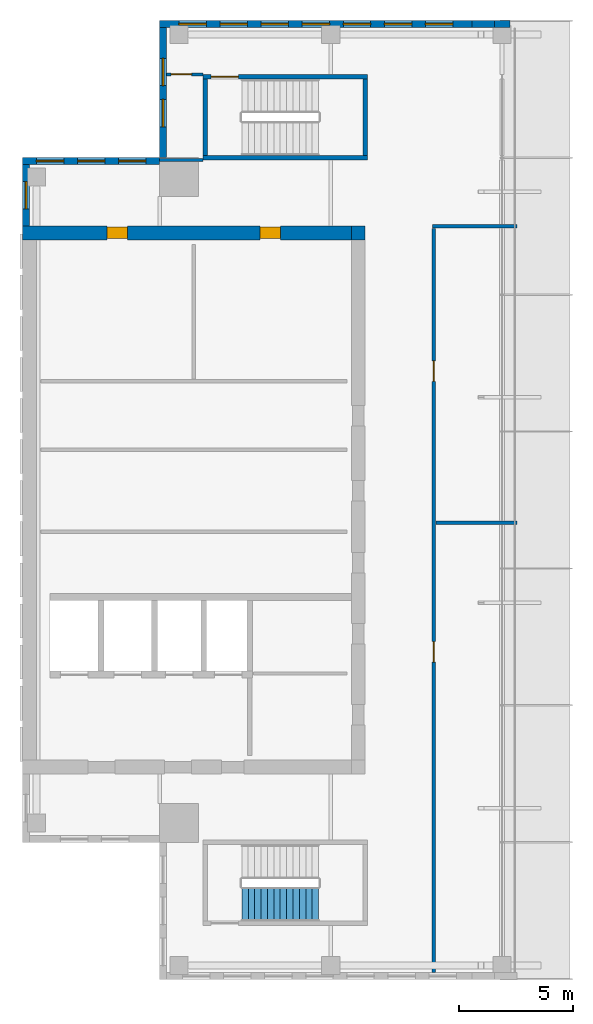
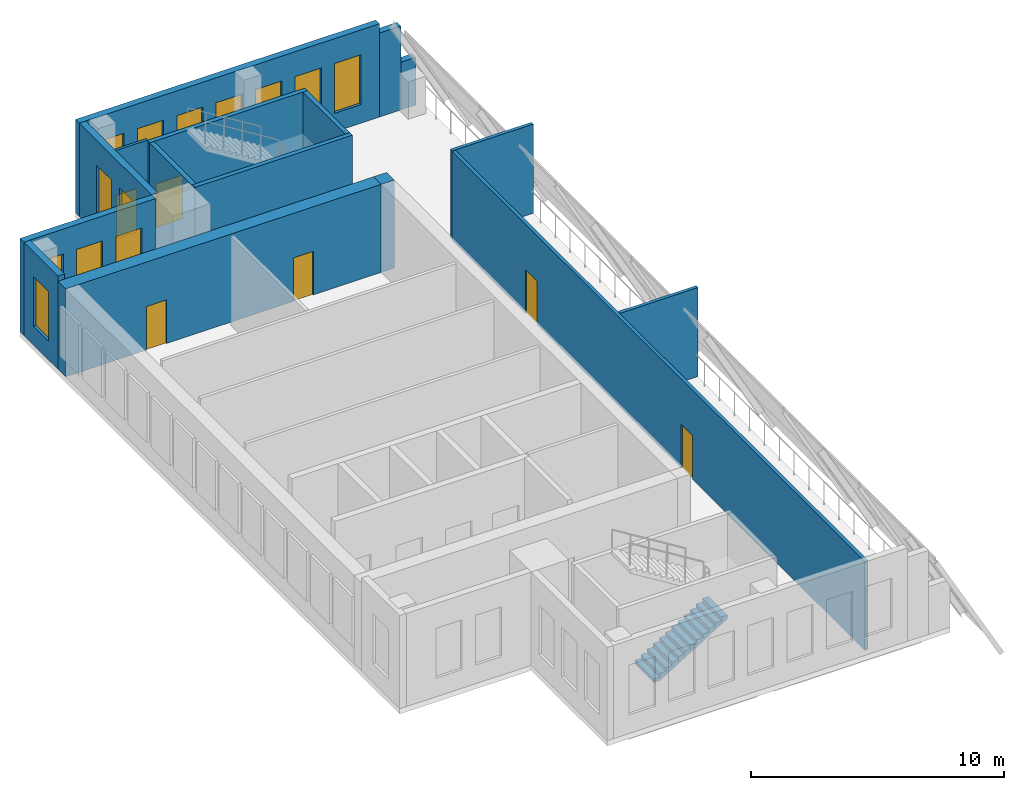
# One storey, part 3 of 5: 17 walls, 13 windows, 6 doors, 1 stair flight, 19 openings, 1 element without a shape of its own.
"""IFC4 building model written with IfcOpenShell, lengths in metres."""

from ifc_helpers import new_model, si_unit, direction, frame, frame_2d, origin, place, context, subcontext, project, spatial, polyline, rectangle, outline, extrude, source, transform, mapped, material, layer, layer_set, type_object, element, fill, aggregate, save


model = new_model("IFC4")

# Units and contexts
model_context = context("Model", 3, precision=1e-05, world=origin(), true_north=direction((0.0, 1.0)))
body_context = subcontext(model_context, "Body", "Model", "MODEL_VIEW")
ifc_project = project(units=[si_unit("LENGTHUNIT", "METRE"), si_unit("AREAUNIT", "SQUARE_METRE"), si_unit("VOLUMEUNIT", "CUBIC_METRE"), si_unit("PLANEANGLEUNIT", "RADIAN"), si_unit("MASSUNIT", "GRAM", prefix="KILO")], contexts=[model_context])

# Site, building, storey
site_placement = place(None, origin())
site = spatial("IfcSite", under=ifc_project, at=site_placement, CompositionType="ELEMENT")
building_placement = place(site_placement, origin())
building = spatial("IfcBuilding", under=site, at=building_placement, Name="Khomas Fold Tower", CompositionType="ELEMENT")
storey_placement = place(building_placement, frame((0.0, 0.0, 348.199951171875)))
storey = spatial("IfcBuildingStorey", under=building, at=storey_placement, Name="C5", CompositionType="ELEMENT", Elevation=348.199951171875)

# Wall, openings, doors
ifc_material_1 = material(Name="Concrete C50/60", Category="concrete")
ifc_layer_1 = layer(ifc_material_1, 0.60009765625)
ifc_layer_set_1 = layer_set([ifc_layer_1], Name="Concrete C50/60")
wall_type_1 = type_object("IfcWallType", Name="Core wall 600", PredefinedType="SHEAR", material=ifc_layer_set_1)
shared_shape_1 = source(origin(), body_context, "Body", "SweptSolid", [
    extrude(rectangle(XDim=14.39990234375, YDim=0.60009765625, at=frame_2d((7.199951171875, 0.0))), origin(), (0.0, 0.0, 1.0), 4.25),
])
wall_1_placement = place(storey_placement, frame((6.0, 38.699951171875, 0.0), z_axis=(0.0, 0.0, 1.0), x_axis=(1.0, 0.0, 0.0)))
wall_1 = element("IfcWall", 1, at=wall_1_placement, inside=storey, type_object=wall_type_1, Name="Core wall CW-U-N-L63", PredefinedType="SHEAR", context=body_context, shape_type="MappedRepresentation", body=[
    mapped(shared_shape_1, transform((0.0, 0.0, 0.0))),
])
shared_shape_2 = source(origin(), body_context, "Body", "SweptSolid", [
    extrude(rectangle(XDim=0.89990234375, YDim=2.10009765625, at=frame_2d((0.449951171875, 1.050048828125))), frame((0.0, 0.31005859375, 0.0), z_axis=(0.0, -1.0, 0.0), x_axis=(1.0, 0.0, 0.0)), (0.0, 0.0, 1.0), 0.6201171875),
])
opening_1_placement = place(wall_1_placement, frame((3.699951171875, 0.0, 0.0)))
opening_1 = element("IfcOpeningElement", 2, at=opening_1_placement, cuts=wall_1, Name="Opening 0003", PredefinedType="OPENING", context=body_context, shape_type="MappedRepresentation", body=[
    mapped(shared_shape_2, transform((0.0, 0.0, 0.0))),
])
opening_2_placement = place(wall_1_placement, frame((10.39990234375, 0.0, 0.0)))
opening_2 = element("IfcOpeningElement", 3, at=opening_2_placement, cuts=wall_1, Name="Opening 0003", PredefinedType="OPENING", context=body_context, shape_type="MappedRepresentation", body=[
    mapped(shared_shape_2, transform((0.0, 0.0, 0.0))),
])
ifc_material_2 = material(Name="Steel door leaf", Category="steel")
door_type_1 = type_object("IfcDoorType", Name="Plant room door 900x2100 right-hand", OperationType="SINGLE_SWING_RIGHT", PredefinedType="DOOR", material=ifc_material_2)
shared_shape_3 = source(origin(), body_context, "Body", "SweptSolid", [
    extrude(rectangle(XDim=0.89990234375, YDim=2.10009765625, at=frame_2d((0.449951171875, 1.050048828125))), frame((0.0, 0.25, 0.0), z_axis=(0.0, -1.0, 0.0), x_axis=(1.0, 0.0, 0.0)), (0.0, 0.0, 1.0), 0.5),
])
door_1_placement = place(opening_1_placement, origin())
door_1 = element("IfcDoor", 4, at=door_1_placement, inside=storey, type_object=door_type_1, Name="Plant room door", OperationType="SINGLE_SWING_RIGHT", OverallHeight=2.10009765625, OverallWidth=0.89990234375, PredefinedType="DOOR", context=body_context, shape_type="MappedRepresentation", body=[
    mapped(shared_shape_3, transform((0.0, 0.0, 0.0))),
])
fill(opening_1, door_1)
door_2_placement = place(opening_2_placement, origin())
door_2 = element("IfcDoor", 5, at=door_2_placement, inside=storey, type_object=door_type_1, Name="Plant room door", OperationType="SINGLE_SWING_RIGHT", OverallHeight=2.10009765625, OverallWidth=0.89990234375, PredefinedType="DOOR", context=body_context, shape_type="MappedRepresentation", body=[
    mapped(shared_shape_3, transform((0.0, 0.0, 0.0))),
])
fill(opening_2, door_2)

# Wall
ifc_material_3 = material(Name="Concrete C50/60", Category="concrete")
ifc_layer_2 = layer(ifc_material_3, 0.60009765625)
ifc_layer_set_2 = layer_set([ifc_layer_2], Name="Concrete C50/60")
wall_type_2 = type_object("IfcWallType", Name="Core corner wall 600", PredefinedType="SHEAR", material=ifc_layer_set_2)
shared_shape_4 = source(origin(), body_context, "Body", "SweptSolid", [
    extrude(rectangle(XDim=0.60009765625, YDim=0.60009765625, at=frame_2d((0.300048828125, 0.0))), origin(), (0.0, 0.0, 1.0), 4.25),
])
wall_2_placement = place(storey_placement, frame((20.39990234375, 38.699951171875, 0.0), z_axis=(0.0, 0.0, 1.0), x_axis=(1.0, 0.0, 0.0)))
element("IfcWall", 6, at=wall_2_placement, inside=storey, type_object=wall_type_2, Name="Core wall CW-U-NE-L63", PredefinedType="SHEAR", context=body_context, shape_type="MappedRepresentation", body=[
    mapped(shared_shape_4, transform((0.0, 0.0, 0.0))),
])

# Wall, opening, door
ifc_material_4 = material(Name="Concrete C50/60", Category="concrete")
ifc_layer_3 = layer(ifc_material_4, 0.199951171875)
ifc_layer_set_3 = layer_set([ifc_layer_3], Name="Concrete C50/60")
wall_type_3 = type_object("IfcWallType", Name="Stair wall 200", PredefinedType="SHEAR", material=ifc_layer_set_3)
shared_shape_5 = source(origin(), body_context, "Body", "SweptSolid", [
    extrude(rectangle(XDim=7.2001953125, YDim=0.199951171875, at=frame_2d((3.60009765625, 0.0))), origin(), (0.0, 0.0, 1.0), 4.25),
])
wall_3_placement = place(storey_placement, frame((13.89990234375, 45.550048828125, 0.0), z_axis=(0.0, 0.0, 1.0), x_axis=(1.0, 0.0, 0.0)))
wall_3 = element("IfcWall", 7, at=wall_3_placement, inside=storey, type_object=wall_type_3, Name="Stair wall SW-ST1-NU", PredefinedType="SHEAR", context=body_context, shape_type="MappedRepresentation", body=[
    mapped(shared_shape_5, transform((0.0, 0.0, 0.0))),
])
shared_shape_6 = source(origin(), body_context, "Body", "SweptSolid", [
    extrude(rectangle(XDim=1.199951171875, YDim=2.10009765625, at=frame_2d((0.60009765625, 1.050048828125))), frame((0.0, 0.10986328125, 0.0), z_axis=(0.0, -1.0, 0.0), x_axis=(1.0, 0.0, 0.0)), (0.0, 0.0, 1.0), 0.219970703125),
])
opening_3_placement = place(wall_3_placement, frame((0.35009765625, 0.0, 0.0)))
opening_3 = element("IfcOpeningElement", 8, at=opening_3_placement, cuts=wall_3, Name="Opening SD-ST1", PredefinedType="OPENING", context=body_context, shape_type="MappedRepresentation", body=[
    mapped(shared_shape_6, transform((0.0, 0.0, 0.0))),
])
ifc_material_5 = material(Name="Steel door leaf", Category="steel")
door_type_2 = type_object("IfcDoorType", Name="Stair door 1200x2100 left-hand", OperationType="SINGLE_SWING_LEFT", PredefinedType="DOOR", material=ifc_material_5)
shared_shape_7 = source(origin(), body_context, "Body", "SweptSolid", [
    extrude(rectangle(XDim=1.199951171875, YDim=2.10009765625, at=frame_2d((0.60009765625, 1.050048828125))), frame((0.0, 0.02490234375, 0.0), z_axis=(0.0, -1.0, 0.0), x_axis=(1.0, 0.0, 0.0)), (0.0, 0.0, 1.0), 0.050048828125),
])
door_3_placement = place(opening_3_placement, origin())
door_3 = element("IfcDoor", 9, at=door_3_placement, inside=storey, type_object=door_type_2, Name="Stair door", OperationType="SINGLE_SWING_LEFT", OverallHeight=2.10009765625, OverallWidth=1.199951171875, PredefinedType="DOOR", context=body_context, shape_type="MappedRepresentation", body=[
    mapped(shared_shape_7, transform((0.0, 0.0, 0.0))),
])
fill(opening_3, door_3)

# Walls
wall_4_placement = place(storey_placement, frame((13.89990234375, 42.0, 0.0), z_axis=(0.0, 0.0, 1.0), x_axis=(1.0, 0.0, 0.0)))
element("IfcWall", 10, at=wall_4_placement, inside=storey, type_object=wall_type_3, Name="Stair wall SW-ST1-SU", PredefinedType="SHEAR", context=body_context, shape_type="MappedRepresentation", body=[
    mapped(shared_shape_5, transform((0.0, 0.0, 0.0))),
])
shared_shape_8 = source(origin(), body_context, "Body", "SweptSolid", [
    extrude(rectangle(XDim=3.349853515625, YDim=0.199951171875, at=frame_2d((1.6748046875, 0.0))), origin(), (0.0, 0.0, 1.0), 4.25),
])
for number, where, z_axis, x_axis, name in (
    (11, (21.0, 42.10009765625, 0.0), (0.0, 0.0, 1.0), (0.0, 1.0, 0.0), "Stair wall SW-ST1-EU"),
    (12, (14.0, 42.10009765625, 0.0), (0.0, 0.0, 1.0), (0.0, 1.0, 0.0), "Stair wall SW-ST1-W"),
):
    element("IfcWall", number, at=place(storey_placement, frame(where, z_axis=z_axis, x_axis=x_axis)), inside=storey, type_object=wall_type_3, Name=name, PredefinedType="SHEAR", context=body_context, shape_type="MappedRepresentation", body=[
        mapped(shared_shape_8, transform((0.0, 0.0, 0.0))),
    ])

# Wall, openings, windows
ifc_material_6 = material(Name="Concrete C40/50", Category="concrete")
ifc_layer_4 = layer(ifc_material_6, 0.300048828125)
ifc_layer_set_4 = layer_set([ifc_layer_4], Name="Concrete C40/50")
wall_type_4 = type_object("IfcWallType", Name="Crown gable wall 300 CR-GW1", PredefinedType="SOLIDWALL", material=ifc_layer_set_4)
shared_shape_9 = source(origin(), body_context, "Body", "SweptSolid", [
    extrude(rectangle(XDim=5.699951171875, YDim=0.300048828125, at=frame_2d((2.85009765625, 0.0))), origin(), (0.0, 0.0, 1.0), 4.5),
])
wall_5_placement = place(storey_placement, frame((12.14990234375, 47.699951171875, 0.0), z_axis=(0.0, 0.0, 1.0), x_axis=(0.0, -1.0, 0.0)))
wall_5 = element("IfcWall", 13, at=wall_5_placement, inside=storey, type_object=wall_type_4, Name="Crown wall", PredefinedType="SOLIDWALL", context=body_context, shape_type="MappedRepresentation", body=[
    mapped(shared_shape_9, transform((0.0, 0.0, 0.0))),
])
shared_shape_10 = source(origin(), body_context, "Body", "SweptSolid", [
    extrude(rectangle(XDim=1.199951171875, YDim=2.39990234375, at=frame_2d((0.60009765625, 1.199951171875))), frame((0.0, 0.159912109375, 0.0), z_axis=(0.0, -1.0, 0.0), x_axis=(1.0, 0.0, 0.0)), (0.0, 0.0, 1.0), 0.320068359375),
])
opening_4_placement = place(wall_5_placement, frame((1.35009765625, 0.0, 0.89990234375)))
opening_4 = element("IfcOpeningElement", 14, at=opening_4_placement, cuts=wall_5, Name="Opening CR-LV", PredefinedType="OPENING", context=body_context, shape_type="MappedRepresentation", body=[
    mapped(shared_shape_10, transform((0.0, 0.0, 0.0))),
])
opening_5_placement = place(wall_5_placement, frame((3.14990234375, 0.0, 0.89990234375)))
opening_5 = element("IfcOpeningElement", 15, at=opening_5_placement, cuts=wall_5, Name="Opening CR-LV", PredefinedType="OPENING", context=body_context, shape_type="MappedRepresentation", body=[
    mapped(shared_shape_10, transform((0.0, 0.0, 0.0))),
])
ifc_material_7 = material(Name="Aluminium louvre", Category="aluminium")
window_type = type_object("IfcWindowType", Name="Crown plant louvre 1200 x 2400", PartitioningType="SINGLE_PANEL", PredefinedType="WINDOW", material=ifc_material_7)
shared_shape_11 = source(origin(), body_context, "Body", "SweptSolid", [
    extrude(rectangle(XDim=1.199951171875, YDim=2.39990234375, at=frame_2d((0.60009765625, 1.199951171875))), frame((0.0, 0.030029296875, 0.0), z_axis=(0.0, -1.0, 0.0), x_axis=(1.0, 0.0, 0.0)), (0.0, 0.0, 1.0), 0.06005859375),
])
window_1_placement = place(opening_4_placement, origin())
window_1 = element("IfcWindow", 16, at=window_1_placement, inside=storey, type_object=window_type, Name="Crown plant louvre", OverallHeight=2.39990234375, OverallWidth=1.199951171875, PartitioningType="SINGLE_PANEL", PredefinedType="WINDOW", context=body_context, shape_type="MappedRepresentation", body=[
    mapped(shared_shape_11, transform((0.0, 0.0, 0.0))),
])
fill(opening_4, window_1)
window_2_placement = place(opening_5_placement, origin())
window_2 = element("IfcWindow", 17, at=window_2_placement, inside=storey, type_object=window_type, Name="Crown plant louvre", OverallHeight=2.39990234375, OverallWidth=1.199951171875, PartitioningType="SINGLE_PANEL", PredefinedType="WINDOW", context=body_context, shape_type="MappedRepresentation", body=[
    mapped(shared_shape_11, transform((0.0, 0.0, 0.0))),
])
fill(opening_5, window_2)

shared_shape_12 = source(origin(), body_context, "Body", "SweptSolid", [
    extrude(rectangle(XDim=6.0, YDim=0.300048828125, at=frame_2d((3.0, 0.0))), origin(), (0.0, 0.0, 1.0), 4.5),
])
wall_6_placement = place(storey_placement, frame((12.0, 41.85009765625, 0.0), z_axis=(0.0, 0.0, 1.0), x_axis=(-1.0, 0.0, 0.0)))
wall_6 = element("IfcWall", 18, at=wall_6_placement, inside=storey, type_object=wall_type_4, Name="Crown wall", PredefinedType="SOLIDWALL", context=body_context, shape_type="MappedRepresentation", body=[
    mapped(shared_shape_12, transform((0.0, 0.0, 0.0))),
])
opening_6_placement = place(wall_6_placement, frame((0.60009765625, 0.0, 0.89990234375)))
opening_6 = element("IfcOpeningElement", 19, at=opening_6_placement, cuts=wall_6, Name="Opening CR-LV", PredefinedType="OPENING", context=body_context, shape_type="MappedRepresentation", body=[
    mapped(shared_shape_10, transform((0.0, 0.0, 0.0))),
])
opening_7_placement = place(wall_6_placement, frame((2.39990234375, 0.0, 0.89990234375)))
opening_7 = element("IfcOpeningElement", 20, at=opening_7_placement, cuts=wall_6, Name="Opening CR-LV", PredefinedType="OPENING", context=body_context, shape_type="MappedRepresentation", body=[
    mapped(shared_shape_10, transform((0.0, 0.0, 0.0))),
])
opening_8_placement = place(wall_6_placement, frame((4.199951171875, 0.0, 0.89990234375)))
opening_8 = element("IfcOpeningElement", 21, at=opening_8_placement, cuts=wall_6, Name="Opening CR-LV", PredefinedType="OPENING", context=body_context, shape_type="MappedRepresentation", body=[
    mapped(shared_shape_10, transform((0.0, 0.0, 0.0))),
])
window_3_placement = place(opening_6_placement, origin())
window_3 = element("IfcWindow", 22, at=window_3_placement, inside=storey, type_object=window_type, Name="Crown plant louvre", OverallHeight=2.39990234375, OverallWidth=1.199951171875, PartitioningType="SINGLE_PANEL", PredefinedType="WINDOW", context=body_context, shape_type="MappedRepresentation", body=[
    mapped(shared_shape_11, transform((0.0, 0.0, 0.0))),
])
fill(opening_6, window_3)
window_4_placement = place(opening_7_placement, origin())
window_4 = element("IfcWindow", 23, at=window_4_placement, inside=storey, type_object=window_type, Name="Crown plant louvre", OverallHeight=2.39990234375, OverallWidth=1.199951171875, PartitioningType="SINGLE_PANEL", PredefinedType="WINDOW", context=body_context, shape_type="MappedRepresentation", body=[
    mapped(shared_shape_11, transform((0.0, 0.0, 0.0))),
])
fill(opening_7, window_4)
window_5_placement = place(opening_8_placement, origin())
window_5 = element("IfcWindow", 24, at=window_5_placement, inside=storey, type_object=window_type, Name="Crown plant louvre", OverallHeight=2.39990234375, OverallWidth=1.199951171875, PartitioningType="SINGLE_PANEL", PredefinedType="WINDOW", context=body_context, shape_type="MappedRepresentation", body=[
    mapped(shared_shape_11, transform((0.0, 0.0, 0.0))),
])
fill(opening_8, window_5)

# Wall, opening, window
shared_shape_13 = source(origin(), body_context, "Body", "SweptSolid", [
    extrude(rectangle(XDim=2.699951171875, YDim=0.300048828125, at=frame_2d((1.35009765625, 0.0))), origin(), (0.0, 0.0, 1.0), 4.5),
])
wall_7_placement = place(storey_placement, frame((6.14990234375, 41.699951171875, 0.0), z_axis=(0.0, 0.0, 1.0), x_axis=(0.0, -1.0, 0.0)))
wall_7 = element("IfcWall", 25, at=wall_7_placement, inside=storey, type_object=wall_type_4, Name="Crown wall", PredefinedType="SOLIDWALL", context=body_context, shape_type="MappedRepresentation", body=[
    mapped(shared_shape_13, transform((0.0, 0.0, 0.0))),
])
opening_9_placement = place(wall_7_placement, frame((0.75, 0.0, 0.89990234375)))
opening_9 = element("IfcOpeningElement", 26, at=opening_9_placement, cuts=wall_7, Name="Opening CR-LV", PredefinedType="OPENING", context=body_context, shape_type="MappedRepresentation", body=[
    mapped(shared_shape_10, transform((0.0, 0.0, 0.0))),
])
window_6_placement = place(opening_9_placement, origin())
window_6 = element("IfcWindow", 27, at=window_6_placement, inside=storey, type_object=window_type, Name="Crown plant louvre", OverallHeight=2.39990234375, OverallWidth=1.199951171875, PartitioningType="SINGLE_PANEL", PredefinedType="WINDOW", context=body_context, shape_type="MappedRepresentation", body=[
    mapped(shared_shape_11, transform((0.0, 0.0, 0.0))),
])
fill(opening_9, window_6)

# Walls
ifc_material_8 = material(Name="Concrete C40/50", Category="concrete")
ifc_layer_5 = layer(ifc_material_8, 0.300048828125)
ifc_layer_set_5 = layer_set([ifc_layer_5], Name="Concrete C40/50")
wall_type_5 = type_object("IfcWallType", Name="Crown gable wall 300 CR-GW2", PredefinedType="SOLIDWALL", material=ifc_layer_set_5)
shared_shape_14 = source(origin(), body_context, "Body", "SweptSolid", [
    extrude(rectangle(XDim=0.97802734375, YDim=0.300048828125, at=frame_2d((0.489013671875, 0.0))), origin(), (0.0, 0.0, 1.0), 4.050048828125),
])
wall_8_placement = place(storey_placement, frame((26.671630859375, 47.85009765625, 0.0), z_axis=(0.0, 0.0, 1.0), x_axis=(-1.0, 0.0, 0.0)))
element("IfcWall", 28, at=wall_8_placement, inside=storey, type_object=wall_type_5, Name="Crown wall", PredefinedType="SOLIDWALL", context=body_context, shape_type="MappedRepresentation", body=[
    mapped(shared_shape_14, transform((0.0, 0.0, 0.0))),
])
ifc_material_9 = material(Name="Concrete C40/50", Category="concrete")
ifc_layer_6 = layer(ifc_material_9, 0.300048828125)
ifc_layer_set_6 = layer_set([ifc_layer_6], Name="Concrete C40/50")
wall_type_6 = type_object("IfcWallType", Name="Crown gable wall 300 CR-GW3", PredefinedType="SOLIDWALL", material=ifc_layer_set_6)
shared_shape_15 = source(origin(), body_context, "Body", "SweptSolid", [
    extrude(rectangle(XDim=0.67822265625, YDim=0.300048828125, at=frame_2d((0.339111328125, 0.0))), origin(), (0.0, 0.0, 1.0), 2.300048828125),
])
wall_9_placement = place(storey_placement, frame((27.349853515625, 47.85009765625, 0.0), z_axis=(0.0, 0.0, 1.0), x_axis=(-1.0, 0.0, 0.0)))
element("IfcWall", 29, at=wall_9_placement, inside=storey, type_object=wall_type_6, Name="Crown wall", PredefinedType="SOLIDWALL", context=body_context, shape_type="MappedRepresentation", body=[
    mapped(shared_shape_15, transform((0.0, 0.0, 0.0))),
])

# Wall, openings, windows
shared_shape_16 = source(origin(), body_context, "Body", "SweptSolid", [
    extrude(rectangle(XDim=13.693603515625, YDim=0.300048828125, at=frame_2d((6.8466796875, 0.0))), origin(), (0.0, 0.0, 1.0), 4.5),
])
wall_10_placement = place(storey_placement, frame((25.693603515625, 47.85009765625, 0.0), z_axis=(0.0, 0.0, 1.0), x_axis=(-1.0, 0.0, 0.0)))
wall_10 = element("IfcWall", 30, at=wall_10_placement, inside=storey, type_object=wall_type_4, Name="Crown wall", PredefinedType="SOLIDWALL", context=body_context, shape_type="MappedRepresentation", body=[
    mapped(shared_shape_16, transform((0.0, 0.0, 0.0))),
])
opening_10_placement = place(wall_10_placement, frame((0.85009765625, 0.0, 0.89990234375)))
opening_10 = element("IfcOpeningElement", 31, at=opening_10_placement, cuts=wall_10, Name="Opening CR-LV", PredefinedType="OPENING", context=body_context, shape_type="MappedRepresentation", body=[
    mapped(shared_shape_10, transform((0.0, 0.0, 0.0))),
])
opening_11_placement = place(wall_10_placement, frame((2.64990234375, 0.0, 0.89990234375)))
opening_11 = element("IfcOpeningElement", 32, at=opening_11_placement, cuts=wall_10, Name="Opening CR-LV", PredefinedType="OPENING", context=body_context, shape_type="MappedRepresentation", body=[
    mapped(shared_shape_10, transform((0.0, 0.0, 0.0))),
])
opening_12_placement = place(wall_10_placement, frame((4.449951171875, 0.0, 0.89990234375)))
opening_12 = element("IfcOpeningElement", 33, at=opening_12_placement, cuts=wall_10, Name="Opening CR-LV", PredefinedType="OPENING", context=body_context, shape_type="MappedRepresentation", body=[
    mapped(shared_shape_10, transform((0.0, 0.0, 0.0))),
])
opening_13_placement = place(wall_10_placement, frame((6.25, 0.0, 0.89990234375)))
opening_13 = element("IfcOpeningElement", 34, at=opening_13_placement, cuts=wall_10, Name="Opening CR-LV", PredefinedType="OPENING", context=body_context, shape_type="MappedRepresentation", body=[
    mapped(shared_shape_10, transform((0.0, 0.0, 0.0))),
])
opening_14_placement = place(wall_10_placement, frame((8.050048828125, 0.0, 0.89990234375)))
opening_14 = element("IfcOpeningElement", 35, at=opening_14_placement, cuts=wall_10, Name="Opening CR-LV", PredefinedType="OPENING", context=body_context, shape_type="MappedRepresentation", body=[
    mapped(shared_shape_10, transform((0.0, 0.0, 0.0))),
])
opening_15_placement = place(wall_10_placement, frame((9.85009765625, 0.0, 0.89990234375)))
opening_15 = element("IfcOpeningElement", 36, at=opening_15_placement, cuts=wall_10, Name="Opening CR-LV", PredefinedType="OPENING", context=body_context, shape_type="MappedRepresentation", body=[
    mapped(shared_shape_10, transform((0.0, 0.0, 0.0))),
])
opening_16_placement = place(wall_10_placement, frame((11.64990234375, 0.0, 0.89990234375)))
opening_16 = element("IfcOpeningElement", 37, at=opening_16_placement, cuts=wall_10, Name="Opening CR-LV", PredefinedType="OPENING", context=body_context, shape_type="MappedRepresentation", body=[
    mapped(shared_shape_10, transform((0.0, 0.0, 0.0))),
])
window_7_placement = place(opening_10_placement, origin())
window_7 = element("IfcWindow", 38, at=window_7_placement, inside=storey, type_object=window_type, Name="Crown plant louvre", OverallHeight=2.39990234375, OverallWidth=1.199951171875, PartitioningType="SINGLE_PANEL", PredefinedType="WINDOW", context=body_context, shape_type="MappedRepresentation", body=[
    mapped(shared_shape_11, transform((0.0, 0.0, 0.0))),
])
fill(opening_10, window_7)
window_8_placement = place(opening_11_placement, origin())
window_8 = element("IfcWindow", 39, at=window_8_placement, inside=storey, type_object=window_type, Name="Crown plant louvre", OverallHeight=2.39990234375, OverallWidth=1.199951171875, PartitioningType="SINGLE_PANEL", PredefinedType="WINDOW", context=body_context, shape_type="MappedRepresentation", body=[
    mapped(shared_shape_11, transform((0.0, 0.0, 0.0))),
])
fill(opening_11, window_8)
window_9_placement = place(opening_12_placement, origin())
window_9 = element("IfcWindow", 40, at=window_9_placement, inside=storey, type_object=window_type, Name="Crown plant louvre", OverallHeight=2.39990234375, OverallWidth=1.199951171875, PartitioningType="SINGLE_PANEL", PredefinedType="WINDOW", context=body_context, shape_type="MappedRepresentation", body=[
    mapped(shared_shape_11, transform((0.0, 0.0, 0.0))),
])
fill(opening_12, window_9)
window_10_placement = place(opening_13_placement, origin())
window_10 = element("IfcWindow", 41, at=window_10_placement, inside=storey, type_object=window_type, Name="Crown plant louvre", OverallHeight=2.39990234375, OverallWidth=1.199951171875, PartitioningType="SINGLE_PANEL", PredefinedType="WINDOW", context=body_context, shape_type="MappedRepresentation", body=[
    mapped(shared_shape_11, transform((0.0, 0.0, 0.0))),
])
fill(opening_13, window_10)
window_11_placement = place(opening_14_placement, origin())
window_11 = element("IfcWindow", 42, at=window_11_placement, inside=storey, type_object=window_type, Name="Crown plant louvre", OverallHeight=2.39990234375, OverallWidth=1.199951171875, PartitioningType="SINGLE_PANEL", PredefinedType="WINDOW", context=body_context, shape_type="MappedRepresentation", body=[
    mapped(shared_shape_11, transform((0.0, 0.0, 0.0))),
])
fill(opening_14, window_11)
window_12_placement = place(opening_15_placement, origin())
window_12 = element("IfcWindow", 43, at=window_12_placement, inside=storey, type_object=window_type, Name="Crown plant louvre", OverallHeight=2.39990234375, OverallWidth=1.199951171875, PartitioningType="SINGLE_PANEL", PredefinedType="WINDOW", context=body_context, shape_type="MappedRepresentation", body=[
    mapped(shared_shape_11, transform((0.0, 0.0, 0.0))),
])
fill(opening_15, window_12)
window_13_placement = place(opening_16_placement, origin())
window_13 = element("IfcWindow", 44, at=window_13_placement, inside=storey, type_object=window_type, Name="Crown plant louvre", OverallHeight=2.39990234375, OverallWidth=1.199951171875, PartitioningType="SINGLE_PANEL", PredefinedType="WINDOW", context=body_context, shape_type="MappedRepresentation", body=[
    mapped(shared_shape_11, transform((0.0, 0.0, 0.0))),
])
fill(opening_16, window_13)

# Wall, openings, doors
ifc_material_10 = material(Name="Plasterboard fire partition")
ifc_layer_7 = layer(ifc_material_10, 0.14990234375)
ifc_layer_set_7 = layer_set([ifc_layer_7], Name="Plasterboard fire partition")
wall_type_7 = type_object("IfcWallType", Name="Plant room wall PW3 150", PredefinedType="PARTITIONING", material=ifc_layer_set_7)
shared_shape_17 = source(origin(), body_context, "Body", "SweptSolid", [
    extrude(rectangle(XDim=32.599853515625, YDim=0.14990234375, at=frame_2d((16.2998046875, 0.0))), origin(), (0.0, 0.0, 1.0), 4.300048828125),
])
wall_11_placement = place(storey_placement, frame((24.0, 6.300048828125, 0.0), z_axis=(0.0, 0.0, 1.0), x_axis=(0.0, 1.0, 0.0)))
wall_11 = element("IfcWall", 45, at=wall_11_placement, inside=storey, type_object=wall_type_7, Name="Plant room wall", PredefinedType="PARTITIONING", context=body_context, shape_type="MappedRepresentation", body=[
    mapped(shared_shape_17, transform((0.0, 0.0, 0.0))),
])
shared_shape_18 = source(origin(), body_context, "Body", "SweptSolid", [
    extrude(rectangle(XDim=0.89990234375, YDim=2.10009765625, at=frame_2d((0.449951171875, 1.050048828125))), frame((0.0, 0.0849609375, 0.0), z_axis=(0.0, -1.0, 0.0), x_axis=(1.0, 0.0, 0.0)), (0.0, 0.0, 1.0), 0.169921875),
])
opening_17_placement = place(wall_11_placement, frame((13.60009765625, 0.0, 0.0)))
opening_17 = element("IfcOpeningElement", 46, at=opening_17_placement, cuts=wall_11, Name="Opening 0002", PredefinedType="OPENING", context=body_context, shape_type="MappedRepresentation", body=[
    mapped(shared_shape_18, transform((0.0, 0.0, 0.0))),
])
opening_18_placement = place(wall_11_placement, frame((25.89990234375, 0.0, 0.0)))
opening_18 = element("IfcOpeningElement", 47, at=opening_18_placement, cuts=wall_11, Name="Opening 0003", PredefinedType="OPENING", context=body_context, shape_type="MappedRepresentation", body=[
    mapped(shared_shape_18, transform((0.0, 0.0, 0.0))),
])
ifc_material_11 = material(Name="Steel door leaf", Category="steel")
door_type_3 = type_object("IfcDoorType", Name="Plant room door 900x2100 left-hand", OperationType="SINGLE_SWING_LEFT", PredefinedType="DOOR", material=ifc_material_11)
shared_shape_19 = source(origin(), body_context, "Body", "SweptSolid", [
    extrude(rectangle(XDim=0.89990234375, YDim=2.10009765625, at=frame_2d((0.449951171875, 1.050048828125))), frame((0.0, 0.02490234375, 0.0), z_axis=(0.0, -1.0, 0.0), x_axis=(1.0, 0.0, 0.0)), (0.0, 0.0, 1.0), 0.050048828125),
])
door_4_placement = place(opening_17_placement, origin())
door_4 = element("IfcDoor", 48, at=door_4_placement, inside=storey, type_object=door_type_3, Name="Plant room door", OperationType="SINGLE_SWING_LEFT", OverallHeight=2.10009765625, OverallWidth=0.89990234375, PredefinedType="DOOR", context=body_context, shape_type="MappedRepresentation", body=[
    mapped(shared_shape_19, transform((0.0, 0.0, 0.0))),
])
fill(opening_17, door_4)
door_5_placement = place(opening_18_placement, origin())
door_5 = element("IfcDoor", 49, at=door_5_placement, inside=storey, type_object=door_type_1, Name="Plant room door", OperationType="SINGLE_SWING_RIGHT", OverallHeight=2.10009765625, OverallWidth=0.89990234375, PredefinedType="DOOR", context=body_context, shape_type="MappedRepresentation", body=[
    mapped(shared_shape_19, transform((0.0, 0.0, 0.0))),
])
fill(opening_18, door_5)

# Wall
ifc_material_12 = material(Name="Plasterboard partition")
ifc_layer_8 = layer(ifc_material_12, 0.125)
ifc_layer_set_8 = layer_set([ifc_layer_8], Name="Plasterboard partition")
wall_type_8 = type_object("IfcWallType", Name="Partition PW2 125", PredefinedType="PARTITIONING", material=ifc_layer_set_8)
shared_shape_20 = source(origin(), body_context, "Body", "SweptSolid", [
    extrude(rectangle(XDim=1.89990234375, YDim=0.125, at=frame_2d((0.949951171875, 0.0))), origin(), (0.0, 0.0, 1.0), 4.300048828125),
])
wall_12_placement = place(storey_placement, frame((12.0, 41.89990234375, 0.0), z_axis=(0.0, 0.0, 1.0), x_axis=(1.0, 0.0, 0.0)))
element("IfcWall", 50, at=wall_12_placement, inside=storey, type_object=wall_type_8, Name="Partition", PredefinedType="PARTITIONING", context=body_context, shape_type="MappedRepresentation", body=[
    mapped(shared_shape_20, transform((0.0, 0.0, 0.0))),
])

# Wall, opening, door
shared_shape_21 = source(origin(), body_context, "Body", "SweptSolid", [
    extrude(rectangle(XDim=1.599853515625, YDim=0.125, at=frame_2d((0.7998046875, 0.0))), origin(), (0.0, 0.0, 1.0), 4.300048828125),
])
wall_13_placement = place(storey_placement, frame((12.300048828125, 45.64990234375, 0.0), z_axis=(0.0, 0.0, 1.0), x_axis=(1.0, 0.0, 0.0)))
wall_13 = element("IfcWall", 51, at=wall_13_placement, inside=storey, type_object=wall_type_8, Name="Partition", PredefinedType="PARTITIONING", context=body_context, shape_type="MappedRepresentation", body=[
    mapped(shared_shape_21, transform((0.0, 0.0, 0.0))),
])
shared_shape_22 = source(origin(), body_context, "Body", "SweptSolid", [
    extrude(rectangle(XDim=0.89990234375, YDim=2.10009765625, at=frame_2d((0.449951171875, 1.050048828125))), frame((0.0, 0.072509765625, 0.0), z_axis=(0.0, -1.0, 0.0), x_axis=(1.0, 0.0, 0.0)), (0.0, 0.0, 1.0), 0.14501953125),
])
opening_19_placement = place(wall_13_placement, frame((0.199951171875, 0.0, 0.0)))
opening_19 = element("IfcOpeningElement", 52, at=opening_19_placement, cuts=wall_13, Name="Opening 0007", PredefinedType="OPENING", context=body_context, shape_type="MappedRepresentation", body=[
    mapped(shared_shape_22, transform((0.0, 0.0, 0.0))),
])
ifc_material_13 = material(Name="Timber door leaf", Category="wood")
door_type_4 = type_object("IfcDoorType", Name="Door 900x2100 left-hand", OperationType="SINGLE_SWING_LEFT", PredefinedType="DOOR", material=ifc_material_13)
door_6_placement = place(opening_19_placement, origin())
door_6 = element("IfcDoor", 53, at=door_6_placement, inside=storey, type_object=door_type_4, Name="Door", OperationType="SINGLE_SWING_LEFT", OverallHeight=2.10009765625, OverallWidth=0.89990234375, PredefinedType="DOOR", context=body_context, shape_type="MappedRepresentation", body=[
    mapped(shared_shape_19, transform((0.0, 0.0, 0.0))),
])
fill(opening_19, door_6)

# Walls
shared_shape_23 = source(origin(), body_context, "Body", "SweptSolid", [
    extrude(rectangle(XDim=3.5498046875, YDim=0.14990234375, at=frame_2d((1.77490234375, 0.0))), origin(), (0.0, 0.0, 1.0), 4.300048828125),
])
wall_14_placement = place(storey_placement, frame((24.10009765625, 26.0, 0.0), z_axis=(0.0, 0.0, 1.0), x_axis=(1.0, 0.0, 0.0)))
element("IfcWall", 54, at=wall_14_placement, inside=storey, type_object=wall_type_7, Name="Plant room wall", PredefinedType="PARTITIONING", context=body_context, shape_type="MappedRepresentation", body=[
    mapped(shared_shape_23, transform((0.0, 0.0, 0.0))),
])
shared_shape_24 = source(origin(), body_context, "Body", "SweptSolid", [
    extrude(rectangle(XDim=3.699951171875, YDim=0.14990234375, at=frame_2d((1.85009765625, 0.0))), origin(), (0.0, 0.0, 1.0), 4.300048828125),
])
wall_15_placement = place(storey_placement, frame((23.949951171875, 39.0, 0.0), z_axis=(0.0, 0.0, 1.0), x_axis=(1.0, 0.0, 0.0)))
element("IfcWall", 55, at=wall_15_placement, inside=storey, type_object=wall_type_7, Name="Plant room wall", PredefinedType="PARTITIONING", context=body_context, shape_type="MappedRepresentation", body=[
    mapped(shared_shape_24, transform((0.0, 0.0, 0.0))),
])

# Stair, stair flight
ifc_material_14 = material(Name="Concrete C40/50", Category="concrete")
stair_type = type_object("IfcStairType", Name="Stair ST2", PredefinedType="HALF_TURN_STAIR", material=ifc_material_14)
stair_placement = place(storey_placement, origin())
stair = element("IfcStair", 56, at=stair_placement, inside=storey, type_object=stair_type, Name="C5 ST2", PredefinedType="HALF_TURN_STAIR")
ifc_material_15 = material(Name="Concrete C40/50", Category="concrete")
stair_flight_type = type_object("IfcStairFlightType", Name="Stair flight 1500 ST2", PredefinedType="STRAIGHT", material=ifc_material_15)
shared_shape_25 = source(origin(), body_context, "Body", "SweptSolid", [
    extrude(outline(polyline([(0.0, 0.0), (0.0, 0.013427734375), (0.0, 0.026611328125), (0.0, 0.0400390625), (0.0, 0.05322265625), (0.0, 0.066650390625), (0.0, 0.079833984375), (0.0, 0.09326171875), (0.0, 0.1064453125), (0.0, 0.119873046875), (0.0, 0.133056640625), (0.0, 0.146484375), (0.0, 0.15966796875), (0.0, 0.173095703125), (0.280029296875, 0.173095703125), (0.280029296875, 0.34619140625), (0.56005859375, 0.34619140625), (0.56005859375, 0.519287109375), (0.840087890625, 0.519287109375), (0.840087890625, 0.6923828125), (1.1201171875, 0.6923828125), (1.1201171875, 0.865478515625), (1.39990234375, 0.865478515625), (1.39990234375, 1.03857421875), (1.679931640625, 1.03857421875), (1.679931640625, 1.21142578125), (1.9599609375, 1.21142578125), (1.9599609375, 1.384521484375), (2.239990234375, 1.384521484375), (2.239990234375, 1.5576171875), (2.52001953125, 1.5576171875), (2.52001953125, 1.730712890625), (2.800048828125, 1.730712890625), (2.800048828125, 1.90380859375), (3.080078125, 1.90380859375), (3.080078125, 2.076904296875), (3.360107421875, 2.076904296875), (3.360107421875, 2.25), (3.360107421875, 2.22314453125), (3.360107421875, 2.1962890625), (3.360107421875, 2.16943359375), (3.360107421875, 2.142578125), (3.360107421875, 2.11572265625), (3.360107421875, 2.0888671875), (3.360107421875, 2.06201171875), (3.360107421875, 2.03515625), (3.360107421875, 2.008056640625), (3.360107421875, 1.981201171875), (3.360107421875, 1.954345703125), (3.360107421875, 1.927490234375), (3.360107421875, 1.900634765625), (0.28515625, 0.0), (0.0, 0.0)])), frame((0.0, 0.75, 0.0), z_axis=(0.0, -1.0, 0.0), x_axis=(1.0, 0.0, 0.0)), (0.0, 0.0, 1.0), 1.5),
])
stair_flight_placement = place(storey_placement, frame((15.60009765625, 9.300048828125, 0.0), z_axis=(0.0, 0.0, 1.0), x_axis=(1.0, 0.0, 0.0)))
stair_flight = element("IfcStairFlight", 57, at=stair_flight_placement, type_object=stair_flight_type, Name="ST2 flight 1", NumberOfRisers=13, NumberOfTreads=12, PredefinedType="STRAIGHT", RiserHeight=0.173076923, TreadLength=0.28, context=body_context, shape_type="MappedRepresentation", body=[
    mapped(shared_shape_25, transform((0.0, 0.0, 0.0))),
])
aggregate(stair, [stair_flight])

save(model, "model.ifc")
